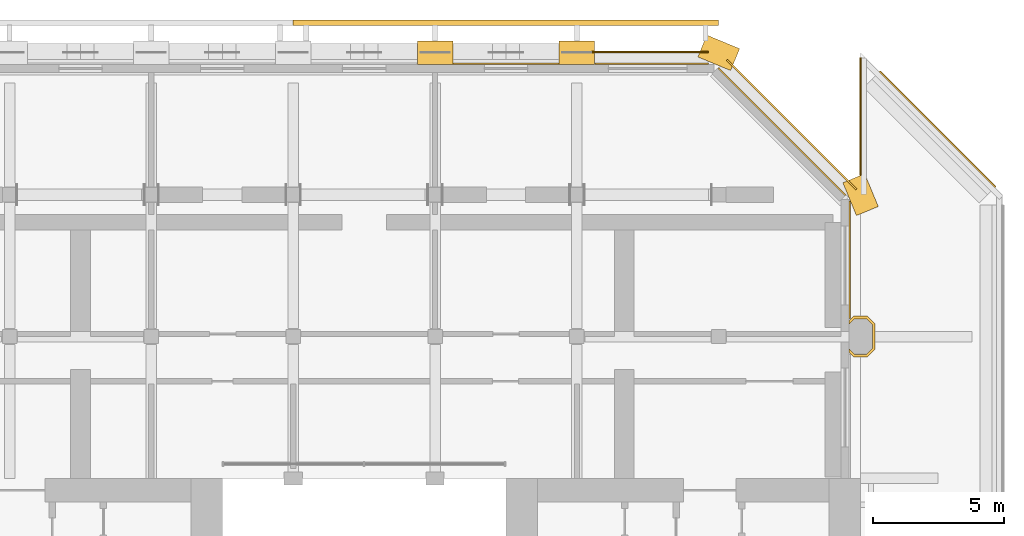
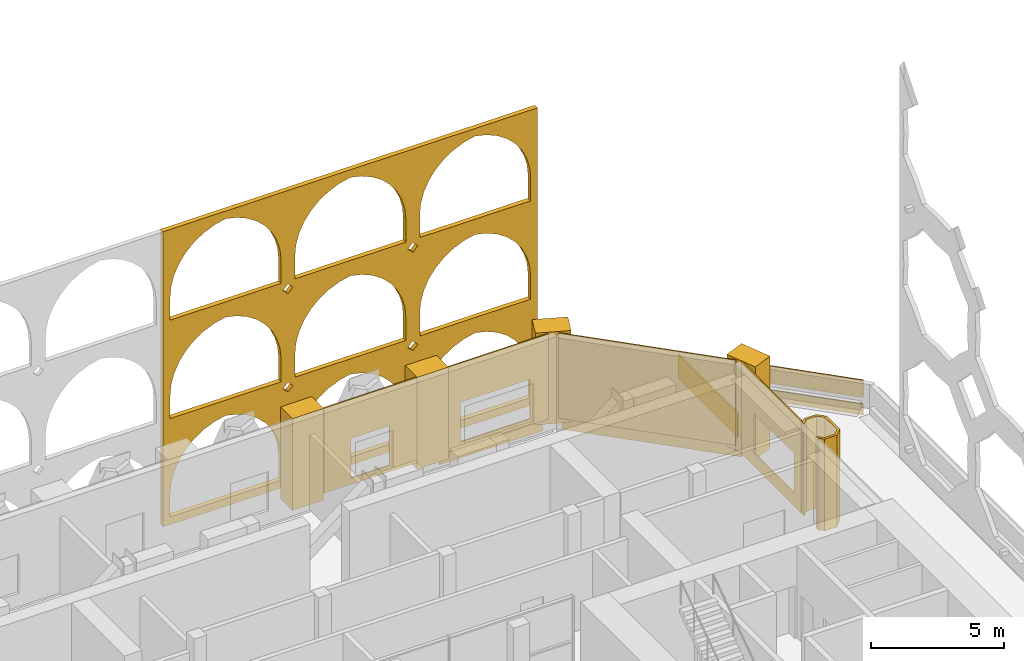
# One storey, part 16 of 16: 15 coverings.
"""IFC4 building model written with IfcOpenShell, lengths in metres."""

import ifcopenshell
import ifcopenshell.guid

model = None  # the IFC model being written
_history = None  # IfcOwnerHistory: only IFC2X3 demands one
_inside = {}  # id of a spatial element -> (the spatial element, [elements in it])
_under = {}  # id of a project, library or spatial element -> (it, [spatial elements below it])
_declared = {}  # id of a project -> (the project, [libraries it declares])
_typed = {}  # id of a type object -> (the type object, [elements of that type])
_made_of = {}  # id of a material, layer set ... -> (it, [elements and type objects made of it])


def new_model(schema):
    """Start an empty IFC model of exactly this schema.

    Asked for "IFC4X3", IfcOpenShell would pick the latest addendum, in which some entities
    have other attributes; the version numbers below select the first issue.
    IFC2X3 requires an IfcOwnerHistory on every rooted entity: one is made here for all.
    """
    global model, _history
    if schema == "IFC4X3":
        model = ifcopenshell.file(schema_version=(4, 3, 0, 0))
    else:
        model = ifcopenshell.file(schema=schema)
    _inside.clear()
    _under.clear()
    _declared.clear()
    _typed.clear()
    _made_of.clear()
    _history = None
    if model.schema == "IFC2X3":
        org = make("IfcOrganization", Name="unknown")
        user = make(
            "IfcPersonAndOrganization",
            ThePerson=make("IfcPerson", FamilyName="unknown"),
            TheOrganization=org,
        )
        app = make(
            "IfcApplication",
            ApplicationDeveloper=org,
            Version="unknown",
            ApplicationFullName="unknown",
            ApplicationIdentifier="unknown",
        )
        _history = make(
            "IfcOwnerHistory",
            OwningUser=user,
            OwningApplication=app,
            ChangeAction="ADDED",
            CreationDate=0,
        )
    return model


def make(cls, **values):
    """One entity of the class cls with the attributes given. An attribute that is None is left unset."""
    return model.create_entity(
        cls, **{name: value for name, value in values.items() if value is not None}
    )


def rooted(cls, **values):
    """An entity with a GlobalId (a new one), such as an element, a storey or a relation."""
    return make(cls, GlobalId=ifcopenshell.guid.new(), OwnerHistory=_history, **values)


def si_unit(unit_type, name, prefix=None):
    """IfcSIUnit, for example si_unit("LENGTHUNIT", "METRE", prefix="MILLI")."""
    return make("IfcSIUnit", UnitType=unit_type, Prefix=prefix, Name=name)


def assignment(units):
    """IfcUnitAssignment: the units of a project."""
    return None if units is None else make("IfcUnitAssignment", Units=units)


def point(xyz):
    """IfcCartesianPoint."""
    return None if xyz is None else make("IfcCartesianPoint", Coordinates=xyz)


def direction(xyz):
    """IfcDirection."""
    return None if xyz is None else make("IfcDirection", DirectionRatios=xyz)


def frame(location, z_axis=None, x_axis=None):
    """IfcAxis2Placement3D, a coordinate frame: its origin and axes. An axis left out is left unset."""
    return make(
        "IfcAxis2Placement3D",
        Location=point(location),
        Axis=direction(z_axis),
        RefDirection=direction(x_axis),
    )


def frame_2d(location, x_axis=None):
    """IfcAxis2Placement2D, a coordinate frame in the plane: its origin and x axis."""
    return make(
        "IfcAxis2Placement2D", Location=point(location), RefDirection=direction(x_axis)
    )


def origin():
    """The frame at (0, 0, 0) with its axes left unset."""
    return frame((0.0, 0.0, 0.0))


def place(relative_to, where):
    """IfcLocalPlacement: puts the frame where relative to a parent placement (None: the world)."""
    return make(
        "IfcLocalPlacement", PlacementRelTo=relative_to, RelativePlacement=where
    )


def context(
    kind, dimensions, precision=None, world=None, true_north=None, identifier=None
):
    """IfcGeometricRepresentationContext, for example the 3D "Model" context."""
    return make(
        "IfcGeometricRepresentationContext",
        ContextIdentifier=identifier,
        ContextType=kind,
        CoordinateSpaceDimension=dimensions,
        Precision=precision,
        WorldCoordinateSystem=world,
        TrueNorth=true_north,
    )


def subcontext(parent, identifier, kind, view, scale=None):
    """IfcGeometricRepresentationSubContext, for example "Body" below "Model"."""
    return make(
        "IfcGeometricRepresentationSubContext",
        ContextIdentifier=identifier,
        ContextType=kind,
        ParentContext=parent,
        TargetScale=scale,
        TargetView=view,
    )


def project(units=None, contexts=None):
    """IfcProject with its units and contexts."""
    return rooted(
        "IfcProject",
        Name="project",
        RepresentationContexts=contexts,
        UnitsInContext=assignment(units),
    )


def spatial(cls, under=None, at=None, **own):
    """A site, building, storey or space (cls), placed at a placement, below another one or the project."""
    s = rooted(cls, ObjectPlacement=at, **own)
    if under is not None:
        _under.setdefault(under.id(), (under, []))[1].append(s)
    return s


def polyline(points):
    """IfcPolyline through the points."""
    return make("IfcPolyline", Points=[point(p) for p in points])


def profile(cls, at=None, kind="AREA", **sizes):
    """A parametric profile (cls). Its sizes go by their IFC names, for example OverallWidth=200.0."""
    return make(cls, ProfileType=kind, Position=at, **sizes)


def rectangle(**sizes):
    """IfcRectangleProfileDef."""
    return profile("IfcRectangleProfileDef", **sizes)


def outline(outer, holes=None, kind="AREA"):
    """IfcArbitraryClosedProfileDef: a profile drawn as a closed curve; with holes, ...WithVoids."""
    if holes is None:
        return make("IfcArbitraryClosedProfileDef", ProfileType=kind, OuterCurve=outer)
    return make(
        "IfcArbitraryProfileDefWithVoids",
        ProfileType=kind,
        OuterCurve=outer,
        InnerCurves=holes,
    )


def extrude(swept, where, along, depth):
    """IfcExtrudedAreaSolid: the profile swept, set in the frame where, extruded along a direction by depth."""
    return make(
        "IfcExtrudedAreaSolid",
        SweptArea=swept,
        Position=where,
        ExtrudedDirection=direction(along),
        Depth=depth,
    )


def shape(context_of_items, identifier, shape_type, items):
    """IfcShapeRepresentation: the items that make up one representation, for example the "Body"."""
    return make(
        "IfcShapeRepresentation",
        ContextOfItems=context_of_items,
        RepresentationIdentifier=identifier,
        RepresentationType=shape_type,
        Items=items,
    )


def material(Name=None, Category=None):
    """IfcMaterial."""
    return make("IfcMaterial", Name=Name, Category=Category)


def layer(
    of_material, thickness, ventilated=None, Name=None, Category=None, Priority=None
):
    """IfcMaterialLayer: one layer of a wall or slab, of a material (None: an air gap)."""
    return make(
        "IfcMaterialLayer",
        Material=of_material,
        LayerThickness=thickness,
        IsVentilated=ventilated,
        Name=Name,
        Category=Category,
        Priority=Priority,
    )


def layer_set(layers, Name=None):
    """IfcMaterialLayerSet."""
    return make("IfcMaterialLayerSet", MaterialLayers=layers, LayerSetName=Name)


def made_of(thing, what):
    """Note that an element or type object is made of a material, layer set ...; save() writes the relation."""
    if what is not None:
        _made_of.setdefault(what.id(), (what, []))[1].append(thing)
    return thing


def type_object(cls, material=None, **own):
    """A type object (cls), such as IfcWallType, which elements share."""
    return made_of(rooted(cls, **own), material)


def element(
    cls,
    number,
    at=None,
    inside=None,
    cuts=None,
    type_object=None,
    material=None,
    context=None,
    identifier="Body",
    shape_type=None,
    held_by="IfcProductDefinitionShape",
    body=None,
    shapes=None,
    **own,
):
    """One element of the class cls, such as IfcWall. Its Tag is "e" and its number.

    at: its placement. inside: the storey or other place that contains it. cuts: it is an
    opening in that element (IfcRelVoidsElement). A single representation is given by context,
    identifier, shape_type and body (its items); several are given by shapes. held_by: the class
    of the entity that holds the representations. save() writes the other relations.
    """
    e = rooted(cls, Tag="e%d" % number, ObjectPlacement=at, **own)
    if body is not None:
        shapes = [shape(context, identifier, shape_type, body)]
    if shapes is not None:
        e.Representation = make(held_by, Representations=shapes)
    if inside is not None:
        _inside.setdefault(inside.id(), (inside, []))[1].append(e)
    if cuts is not None:
        rooted(
            "IfcRelVoidsElement", RelatingBuildingElement=cuts, RelatedOpeningElement=e
        )
    if type_object is not None:
        _typed.setdefault(type_object.id(), (type_object, []))[1].append(e)
    return made_of(e, material)


def aggregate(whole, parts):
    """IfcRelAggregates: a whole, such as a stair, and the parts it consists of."""
    return rooted("IfcRelAggregates", RelatingObject=whole, RelatedObjects=parts)


def save(model, path):
    """Write the relations noted so far, then the file.

    IfcRelAggregates (storeys below a building ...), IfcRelContainedInSpatialStructure (elements
    in a storey), IfcRelDefinesByType, IfcRelAssociatesMaterial and IfcRelDeclares: one each for
    every whole, place, type object, material and project.
    """
    for whole, parts in _under.values():
        aggregate(whole, parts)
    for where, things in _inside.values():
        rooted(
            "IfcRelContainedInSpatialStructure",
            RelatedElements=things,
            RelatingStructure=where,
        )
    for kind, things in _typed.values():
        rooted("IfcRelDefinesByType", RelatedObjects=things, RelatingType=kind)
    for what, things in _made_of.values():
        rooted("IfcRelAssociatesMaterial", RelatedObjects=things, RelatingMaterial=what)
    for by, libraries in _declared.values():
        rooted("IfcRelDeclares", RelatingContext=by, RelatedDefinitions=libraries)
    model.write(path)


model = new_model("IFC4")

# Units and contexts
model_context = context("Model", 3, precision=1e-05, world=origin(), true_north=direction((0.0, 1.0)))
body_context = subcontext(model_context, "Body", "Model", "MODEL_VIEW")
ifc_project = project(units=[si_unit("LENGTHUNIT", "METRE"), si_unit("AREAUNIT", "SQUARE_METRE"), si_unit("VOLUMEUNIT", "CUBIC_METRE"), si_unit("PLANEANGLEUNIT", "RADIAN"), si_unit("MASSUNIT", "GRAM", prefix="KILO")], contexts=[model_context])

# Site, building, storey
site_placement = place(None, origin())
site = spatial("IfcSite", under=ifc_project, at=site_placement, CompositionType="ELEMENT")
building_placement = place(site_placement, origin())
building = spatial("IfcBuilding", under=site, at=building_placement, Name="Tabaq Tower and Sports Hall", CompositionType="ELEMENT")
storey_placement = place(building_placement, frame((0.0, 0.0, 308.199951171875)))
storey = spatial("IfcBuildingStorey", under=building, at=storey_placement, Name="L77", CompositionType="ELEMENT", Elevation=308.199951171875)

# Coverings
ifc_material_1 = material(Name="Precast concrete C60/75", Category="concrete")
ifc_layer_1 = layer(ifc_material_1, 0.10009765625)
ifc_layer_set_1 = layer_set([ifc_layer_1], Name="Column cladding 100")
covering_type_1 = type_object("IfcCoveringType", Name="Column cladding 100", PredefinedType="CLADDING", material=ifc_layer_set_1)
covering_1_placement = place(storey_placement, origin())
element("IfcCovering", 1, at=covering_1_placement, inside=storey, type_object=covering_type_1, Name="Column cladding L77 PC-9H-CR", PredefinedType="CLADDING", context=body_context, shape_type="SweptSolid", body=[
    extrude(outline(polyline([(42.93359375, 37.025390625), (42.750244140625, 37.208740234375), (42.750244140625, 37.349365234375), (42.974853515625, 37.124755859375), (43.425048828125, 37.124755859375), (43.650390625, 37.349853515625), (43.650390625, 38.250244140625), (43.425048828125, 38.475341796875), (42.974853515625, 38.475341796875), (42.750244140625, 38.250732421875), (42.750244140625, 38.391357421875), (42.93359375, 38.57470703125), (43.46630859375, 38.57470703125), (43.749755859375, 38.291259765625), (43.749755859375, 37.30859375), (43.46630859375, 37.025390625), (42.93359375, 37.025390625)])), origin(), (0.0, 0.0, 1.0), 4.199951171875),
])
ifc_material_2 = material(Name="Precast concrete C60/75", Category="concrete")
ifc_layer_2 = layer(ifc_material_2, 0.06005859375)
ifc_layer_set_2 = layer_set([ifc_layer_2], Name="Edge beam cladding 60")
covering_type_2 = type_object("IfcCoveringType", Name="Edge beam cladding 60", PredefinedType="CLADDING", material=ifc_layer_set_2)
covering_2_placement = place(storey_placement, frame((48.3369140625, 43.505615234375, -0.5), z_axis=(0.0, 0.0, 1.0), x_axis=(-0.707106781187, 0.707106781187, 0.0)))
element("IfcCovering", 2, at=covering_2_placement, inside=storey, type_object=covering_type_2, Name="Edge beam cladding L77 8", PredefinedType="CLADDING", context=body_context, shape_type="SweptSolid", body=[
    extrude(rectangle(XDim=6.22265625, YDim=0.06005859375, at=frame_2d((3.111328125, 0.0))), origin(), (0.0, 0.0, 1.0), 0.5),
])
covering_3_placement = place(storey_placement, frame((43.04443359375, 43.39794921875, -0.5), z_axis=(0.0, 0.0, 1.0), x_axis=(-0.707106781187, 0.707106781187, 0.0)))
element("IfcCovering", 3, at=covering_3_placement, inside=storey, type_object=covering_type_2, Name="Edge beam cladding L77 1", PredefinedType="CLADDING", context=body_context, shape_type="SweptSolid", body=[
    extrude(rectangle(XDim=6.98486328125, YDim=0.06005859375, at=frame_2d((3.492431640625, 0.0))), origin(), (0.0, 0.0, 1.0), 0.5),
])
covering_4_placement = place(storey_placement, frame((37.39794921875, 48.6298828125, -0.5), z_axis=(0.0, 0.0, 1.0), x_axis=(-1.0, 0.0, 0.0)))
element("IfcCovering", 4, at=covering_4_placement, inside=storey, type_object=covering_type_2, Name="Edge beam cladding L77 2", PredefinedType="CLADDING", context=body_context, shape_type="SweptSolid", body=[
    extrude(rectangle(XDim=4.43798828125, YDim=0.06005859375, at=frame_2d((2.218994140625, 0.0))), origin(), (0.0, 0.0, 1.0), 0.5),
])
ifc_material_3 = material(Name="White precast concrete C60/75", Category="concrete")
covering_type_3 = type_object("IfcCoveringType", Name="Pier cladding hung 1350x900", PredefinedType="CLADDING", material=ifc_material_3)
covering_5_placement = place(storey_placement, frame((27.675048828125, 48.60009765625, 0.0), z_axis=(0.0, 0.0, 1.0), x_axis=(-1.0, 0.0, 0.0)))
element("IfcCovering", 5, at=covering_5_placement, inside=storey, type_object=covering_type_3, Name="Hung pier cladding 5/9", PredefinedType="CLADDING", context=body_context, shape_type="SweptSolid", body=[
    extrude(rectangle(XDim=1.35009765625, YDim=0.89990234375, at=frame_2d((0.675048828125, 0.0))), origin(), (0.0, 0.0, 1.0), 4.199951171875),
])
covering_6_placement = place(storey_placement, frame((33.074951171875, 48.60009765625, 0.0), z_axis=(0.0, 0.0, 1.0), x_axis=(-1.0, 0.0, 0.0)))
element("IfcCovering", 6, at=covering_6_placement, inside=storey, type_object=covering_type_3, Name="Hung pier cladding 6/9", PredefinedType="CLADDING", context=body_context, shape_type="SweptSolid", body=[
    extrude(rectangle(XDim=1.349853515625, YDim=0.89990234375, at=frame_2d((0.6748046875, 0.0))), origin(), (0.0, 0.0, 1.0), 4.199951171875),
])
for number, where, z_axis, x_axis, name in (
    (7, (38.423583984375, 48.341796875, 0.0), (0.0, 0.0, 1.0), (-0.923893411637, 0.382649923473, 0.0), "Hung pier cladding 7/9"),
    (8, (43.458251953125, 42.576416015625, 0.0), (0.0, 0.0, 1.0), (-0.382649923473, 0.923893411637, 0.0), "Hung pier cladding 8/8"),
):
    element("IfcCovering", number, at=place(storey_placement, frame(where, z_axis=z_axis, x_axis=x_axis)), inside=storey, type_object=covering_type_3, Name=name, PredefinedType="CLADDING", context=body_context, shape_type="SweptSolid", body=[
        extrude(rectangle(XDim=1.35009765625, YDim=0.89990234375, at=frame_2d((0.675048828125, 0.0))), origin(), (0.0, 0.0, 1.0), 4.199951171875),
    ])
ifc_material_4 = material(Name="White precast concrete C60/75 pierced screen", Category="concrete")
ifc_layer_3 = layer(ifc_material_4, 0.199951171875)
ifc_layer_set_3 = layer_set([ifc_layer_3], Name="TRACERY SCREEN 200 C60/75")
covering_type_4 = type_object("IfcCoveringType", Name="TRACERY SCREEN 200 C60/75", PredefinedType="CLADDING", material=ifc_layer_set_3)
covering_7_placement = place(storey_placement, frame((37.800048828125, 49.75, 0.0), z_axis=(0.0, 0.0, 1.0), x_axis=(-1.0, 0.0, 0.0)))
element("IfcCovering", 9, at=covering_7_placement, inside=storey, type_object=covering_type_4, Name="Tracery screen CR N L77-L79", PredefinedType="CLADDING", context=body_context, shape_type="SweptSolid", body=[
    extrude(outline(polyline([(0.0, 0.0), (16.199951171875, 0.0), (16.199951171875, 13.5), (0.0, 13.5), (0.0, 0.0)]), holes=[polyline([(0.300048828125, 0.35009765625), (5.10009765625, 0.35009765625), (5.10009765625, 1.39013671875), (5.055419921875, 1.885986328125), (4.92333984375, 2.3662109375), (4.7080078125, 2.815185546875), (4.416015625, 3.21875), (4.05712890625, 3.56396484375), (3.642333984375, 3.839599609375), (3.18505859375, 4.037109375), (2.699951171875, 4.150146484375), (2.21484375, 4.037109375), (1.7578125, 3.839599609375), (1.343017578125, 3.56396484375), (0.98388671875, 3.21875), (0.69189453125, 2.815185546875), (0.4765625, 2.3662109375), (0.344482421875, 1.885986328125), (0.300048828125, 1.39013671875), (0.300048828125, 0.35009765625)]), polyline([(5.699951171875, 0.35009765625), (10.5, 0.35009765625), (10.5, 1.39013671875), (10.45556640625, 1.885986328125), (10.323486328125, 2.3662109375), (10.10791015625, 2.815185546875), (9.816162109375, 3.21875), (9.45703125, 3.56396484375), (9.042236328125, 3.839599609375), (8.5849609375, 4.037109375), (8.10009765625, 4.150146484375), (7.614990234375, 4.037109375), (7.15771484375, 3.839599609375), (6.742919921875, 3.56396484375), (6.384033203125, 3.21875), (6.092041015625, 2.815185546875), (5.87646484375, 2.3662109375), (5.744384765625, 1.885986328125), (5.699951171875, 1.39013671875), (5.699951171875, 0.35009765625)]), polyline([(11.10009765625, 0.35009765625), (15.89990234375, 0.35009765625), (15.89990234375, 1.39013671875), (15.85546875, 1.885986328125), (15.723388671875, 2.3662109375), (15.508056640625, 2.815185546875), (15.216064453125, 3.21875), (14.85693359375, 3.56396484375), (14.442138671875, 3.839599609375), (13.985107421875, 4.037109375), (13.5, 4.150146484375), (13.014892578125, 4.037109375), (12.557861328125, 3.839599609375), (12.14306640625, 3.56396484375), (11.783935546875, 3.21875), (11.491943359375, 2.815185546875), (11.276611328125, 2.3662109375), (11.14453125, 1.885986328125), (11.10009765625, 1.39013671875), (11.10009765625, 0.35009765625)]), polyline([(0.300048828125, 4.85009765625), (5.10009765625, 4.85009765625), (5.10009765625, 5.89013671875), (5.055419921875, 6.385986328125), (4.92333984375, 6.8662109375), (4.7080078125, 7.315185546875), (4.416015625, 7.71875), (4.05712890625, 8.06396484375), (3.642333984375, 8.339599609375), (3.18505859375, 8.537109375), (2.699951171875, 8.650146484375), (2.21484375, 8.537109375), (1.7578125, 8.339599609375), (1.343017578125, 8.06396484375), (0.98388671875, 7.71875), (0.69189453125, 7.315185546875), (0.4765625, 6.8662109375), (0.344482421875, 6.385986328125), (0.300048828125, 5.89013671875), (0.300048828125, 4.85009765625)]), polyline([(5.699951171875, 4.85009765625), (10.5, 4.85009765625), (10.5, 5.89013671875), (10.45556640625, 6.385986328125), (10.323486328125, 6.8662109375), (10.10791015625, 7.315185546875), (9.816162109375, 7.71875), (9.45703125, 8.06396484375), (9.042236328125, 8.339599609375), (8.5849609375, 8.537109375), (8.10009765625, 8.650146484375), (7.614990234375, 8.537109375), (7.15771484375, 8.339599609375), (6.742919921875, 8.06396484375), (6.384033203125, 7.71875), (6.092041015625, 7.315185546875), (5.87646484375, 6.8662109375), (5.744384765625, 6.385986328125), (5.699951171875, 5.89013671875), (5.699951171875, 4.85009765625)]), polyline([(11.10009765625, 4.85009765625), (15.89990234375, 4.85009765625), (15.89990234375, 5.89013671875), (15.85546875, 6.385986328125), (15.723388671875, 6.8662109375), (15.508056640625, 7.315185546875), (15.216064453125, 7.71875), (14.85693359375, 8.06396484375), (14.442138671875, 8.339599609375), (13.985107421875, 8.537109375), (13.5, 8.650146484375), (13.014892578125, 8.537109375), (12.557861328125, 8.339599609375), (12.14306640625, 8.06396484375), (11.783935546875, 7.71875), (11.491943359375, 7.315185546875), (11.276611328125, 6.8662109375), (11.14453125, 6.385986328125), (11.10009765625, 5.89013671875), (11.10009765625, 4.85009765625)]), polyline([(0.300048828125, 9.35009765625), (5.10009765625, 9.35009765625), (5.10009765625, 10.39013671875), (5.055419921875, 10.885986328125), (4.92333984375, 11.3662109375), (4.7080078125, 11.815185546875), (4.416015625, 12.21875), (4.05712890625, 12.56396484375), (3.642333984375, 12.839599609375), (3.18505859375, 13.037109375), (2.699951171875, 13.150146484375), (2.21484375, 13.037109375), (1.7578125, 12.839599609375), (1.343017578125, 12.56396484375), (0.98388671875, 12.21875), (0.69189453125, 11.815185546875), (0.4765625, 11.3662109375), (0.344482421875, 10.885986328125), (0.300048828125, 10.39013671875), (0.300048828125, 9.35009765625)]), polyline([(5.699951171875, 9.35009765625), (10.5, 9.35009765625), (10.5, 10.39013671875), (10.45556640625, 10.885986328125), (10.323486328125, 11.3662109375), (10.10791015625, 11.815185546875), (9.816162109375, 12.21875), (9.45703125, 12.56396484375), (9.042236328125, 12.839599609375), (8.5849609375, 13.037109375), (8.10009765625, 13.150146484375), (7.614990234375, 13.037109375), (7.15771484375, 12.839599609375), (6.742919921875, 12.56396484375), (6.384033203125, 12.21875), (6.092041015625, 11.815185546875), (5.87646484375, 11.3662109375), (5.744384765625, 10.885986328125), (5.699951171875, 10.39013671875), (5.699951171875, 9.35009765625)]), polyline([(11.10009765625, 9.35009765625), (15.89990234375, 9.35009765625), (15.89990234375, 10.39013671875), (15.85546875, 10.885986328125), (15.723388671875, 11.3662109375), (15.508056640625, 11.815185546875), (15.216064453125, 12.21875), (14.85693359375, 12.56396484375), (14.442138671875, 12.839599609375), (13.985107421875, 13.037109375), (13.5, 13.150146484375), (13.014892578125, 13.037109375), (12.557861328125, 12.839599609375), (12.14306640625, 12.56396484375), (11.783935546875, 12.21875), (11.491943359375, 11.815185546875), (11.276611328125, 11.3662109375), (11.14453125, 10.885986328125), (11.10009765625, 10.39013671875), (11.10009765625, 9.35009765625)]), polyline([(5.6201171875, 4.5), (5.39990234375, 4.719970703125), (5.179931640625, 4.5), (5.39990234375, 4.280029296875), (5.6201171875, 4.5)]), polyline([(11.02001953125, 4.5), (10.800048828125, 4.719970703125), (10.580078125, 4.5), (10.800048828125, 4.280029296875), (11.02001953125, 4.5)]), polyline([(5.6201171875, 9.0), (5.39990234375, 9.219970703125), (5.179931640625, 9.0), (5.39990234375, 8.780029296875), (5.6201171875, 9.0)]), polyline([(11.02001953125, 9.0), (10.800048828125, 9.219970703125), (10.580078125, 9.0), (10.800048828125, 8.780029296875), (11.02001953125, 9.0)])]), frame((0.0, 0.10009765625, 0.0), z_axis=(0.0, -1.0, 0.0), x_axis=(1.0, 0.0, 0.0)), (0.0, 0.0, 1.0), 0.199951171875),
])
ifc_material_5 = material(Name="Precast concrete C60/75", Category="concrete")
ifc_layer_4 = layer(ifc_material_5, 0.06005859375)
ifc_layer_set_4 = layer_set([ifc_layer_4], Name="White precast cladding panel 60 C60/75")
covering_type_5 = type_object("IfcCoveringType", Name="White precast cladding panel 60 C60/75", PredefinedType="CLADDING", material=ifc_layer_set_4)
covering_8_placement = place(storey_placement, frame((42.780029296875, 38.485107421875, 0.0), z_axis=(0.0, 0.0, 1.0), x_axis=(0.0, 1.0, 0.0)))
element("IfcCovering", 10, at=covering_8_placement, inside=storey, type_object=covering_type_5, Name="White precast cladding panel L77 wall02-1 2", PredefinedType="CLADDING", context=body_context, shape_type="SweptSolid", body=[
    extrude(outline(polyline([(0.0, 0.0), (4.4716796875, 0.0), (4.471923828125, 4.199951171875), (3.93896484375, 4.199951171875), (3.349365234375, 4.199951171875), (2.759765625, 4.199951171875), (2.169921875, 4.199951171875), (1.580322265625, 4.199951171875), (0.99072265625, 4.199951171875), (0.401123046875, 4.199951171875), (0.0, 4.199951171875), (0.0, 0.0)]), holes=[polyline([(0.5048828125, 0.590087890625), (0.5048828125, 2.41015625), (3.52490234375, 2.41015625), (3.52490234375, 0.590087890625), (0.5048828125, 0.590087890625)])]), frame((0.0, 0.030029296875, 0.0), z_axis=(0.0, -1.0, 0.0), x_axis=(1.0, 0.0, 0.0)), (0.0, 0.0, 1.0), 0.06005859375),
])
covering_9_placement = place(storey_placement, frame((42.628173828125, 43.177734375, 0.31005859375), z_axis=(0.0, 0.0, 1.0), x_axis=(-0.707088976436, 0.707124585489, 0.0)))
element("IfcCovering", 11, at=covering_9_placement, inside=storey, type_object=covering_type_5, Name="White precast cladding panel L77 wall03", PredefinedType="CLADDING", context=body_context, shape_type="SweptSolid", body=[
    extrude(outline(polyline([(0.0, 0.0), (6.856201171875, 0.0), (6.856201171875, 3.889892578125), (6.2880859375, 3.889892578125), (5.71630859375, 3.889892578125), (5.144775390625, 3.889892578125), (4.5732421875, 3.889892578125), (4.00146484375, 3.889892578125), (3.429931640625, 3.889892578125), (2.858154296875, 3.889892578125), (2.28662109375, 3.889892578125), (1.71484375, 3.889892578125), (1.143310546875, 3.889892578125), (0.571533203125, 3.889892578125), (0.0, 3.889892578125), (0.0, 0.0)])), frame((0.0, 0.030029296875, 0.0), z_axis=(0.0, -1.0, 0.0), x_axis=(1.0, 0.0, 0.0)), (0.0, 0.0, 1.0), 0.06005859375),
])
covering_10_placement = place(storey_placement, frame((37.407958984375, 48.179931640625, 0.31005859375), z_axis=(0.0, 0.0, 1.0), x_axis=(-1.0, 0.0, 0.0)))
element("IfcCovering", 12, at=covering_10_placement, inside=storey, type_object=covering_type_5, Name="White precast cladding panel L77 wall04", PredefinedType="CLADDING", context=body_context, shape_type="SweptSolid", body=[
    extrude(outline(polyline([(0.0, 0.0), (4.322998046875, 0.0), (4.322998046875, 3.889892578125), (3.946044921875, 3.889892578125), (3.352783203125, 3.889892578125), (2.759765625, 3.889892578125), (2.166748046875, 3.889892578125), (1.573486328125, 3.889892578125), (0.98046875, 3.889892578125), (0.387451171875, 3.889892578125), (0.0, 3.889892578125), (0.0, 0.0)]), holes=[polyline([(0.7978515625, 0.280029296875), (0.7978515625, 2.10009765625), (3.81787109375, 2.10009765625), (3.81787109375, 0.280029296875), (0.7978515625, 0.280029296875)])]), frame((0.0, 0.030029296875, 0.0), z_axis=(0.0, -1.0, 0.0), x_axis=(1.0, 0.0, 0.0)), (0.0, 0.0, 1.0), 0.06005859375),
])
covering_11_placement = place(storey_placement, frame((31.715087890625, 48.179931640625, 0.31005859375), z_axis=(0.0, 0.0, 1.0), x_axis=(-1.0, 0.0, 0.0)))
element("IfcCovering", 13, at=covering_11_placement, inside=storey, type_object=covering_type_5, Name="White precast cladding panel L77 wall04 2", PredefinedType="CLADDING", context=body_context, shape_type="SweptSolid", body=[
    extrude(outline(polyline([(0.0, 0.0), (4.030029296875, 0.0), (4.030029296875, 3.889892578125), (3.5908203125, 3.889892578125), (2.997802734375, 3.889892578125), (2.40478515625, 3.889892578125), (1.811767578125, 3.889892578125), (1.218505859375, 3.889892578125), (0.62548828125, 3.889892578125), (0.032470703125, 3.889892578125), (0.0, 3.889892578125), (0.0, 0.0)]), holes=[polyline([(1.179931640625, 0.280029296875), (1.179931640625, 2.10009765625), (2.85009765625, 2.10009765625), (2.85009765625, 0.280029296875), (1.179931640625, 0.280029296875)])]), frame((0.0, 0.030029296875, 0.0), z_axis=(0.0, -1.0, 0.0), x_axis=(1.0, 0.0, 0.0)), (0.0, 0.0, 1.0), 0.06005859375),
])
covering_12_placement = place(storey_placement, frame((43.18994140625, 43.94873046875, 0.0), z_axis=(0.0, 0.0, 1.0), x_axis=(0.0, 1.0, 0.0)))
element("IfcCovering", 14, at=covering_12_placement, inside=storey, type_object=covering_type_5, Name="White precast cladding panel L77 parapet00-0", PredefinedType="CLADDING", context=body_context, shape_type="SweptSolid", body=[
    extrude(rectangle(XDim=4.461669921875, YDim=0.06005859375, at=frame_2d((2.23095703125, 0.0))), origin(), (0.0, 0.0, 1.0), 1.10009765625),
])
covering_13_placement = place(storey_placement, frame((43.91552734375, 47.898681640625, 0.31005859375), z_axis=(0.0, 0.0, 1.0), x_axis=(0.707106781187, -0.707106781187, 0.0)))
element("IfcCovering", 15, at=covering_13_placement, inside=storey, type_object=covering_type_5, Name="White precast cladding panel L77 parapet00-1", PredefinedType="CLADDING", context=body_context, shape_type="SweptSolid", body=[
    extrude(rectangle(XDim=6.24267578125, YDim=0.06005859375, at=frame_2d((3.121337890625, 0.0))), origin(), (0.0, 0.0, 1.0), 0.7900390625),
])

save(model, "model.ifc")
